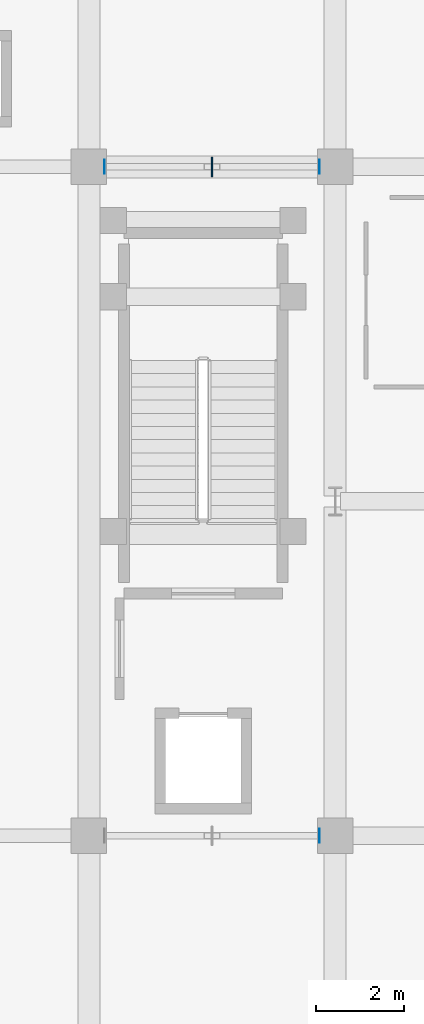
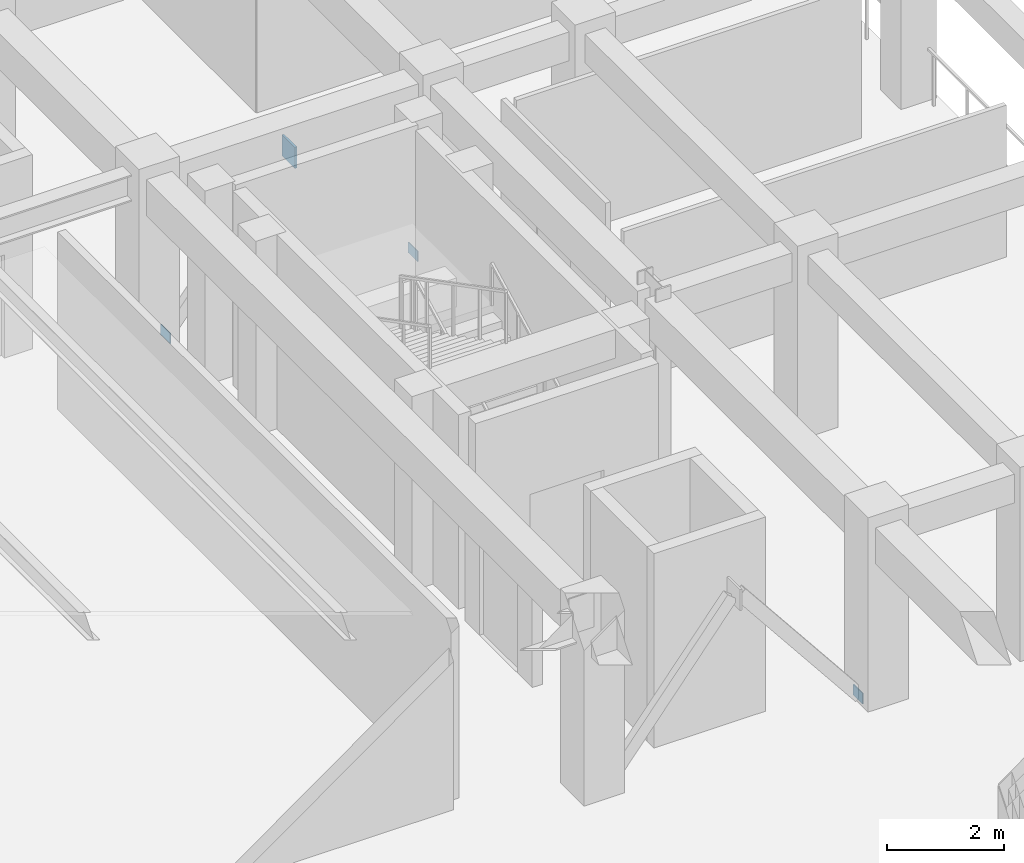
# One storey, part 52 of 83: 4 plates.
"""IFC4 building model written with IfcOpenShell, lengths in metres."""

from ifc_helpers import new_model, si_unit, direction, frame, origin, origin_2d, place, context, subcontext, project, spatial, rectangle, extrude, material, layer, layer_set, type_object, element, save


model = new_model("IFC4")

# Units and contexts
model_context = context("Model", 3, precision=1e-05, world=origin(), true_north=direction((0.0, 1.0)))
body_context = subcontext(model_context, "Body", "Model", "MODEL_VIEW")
ifc_project = project(units=[si_unit("LENGTHUNIT", "METRE"), si_unit("AREAUNIT", "SQUARE_METRE"), si_unit("VOLUMEUNIT", "CUBIC_METRE"), si_unit("PLANEANGLEUNIT", "RADIAN"), si_unit("MASSUNIT", "GRAM", prefix="KILO")], contexts=[model_context])

# Site, building, storey
site_placement = place(None, origin())
site = spatial("IfcSite", under=ifc_project, at=site_placement, CompositionType="ELEMENT")
building_placement = place(site_placement, origin())
building = spatial("IfcBuilding", under=site, at=building_placement, Name="Saryqyr Civic Hall", CompositionType="ELEMENT")
storey_placement = place(building_placement, frame((0.0, 0.0, 9.14990234375)))
storey = spatial("IfcBuildingStorey", under=building, at=storey_placement, Name="L02", CompositionType="ELEMENT", Elevation=9.14990234375)

# Plates
ifc_material = material(Name="Steel S355", Category="steel")
ifc_layer_1 = layer(ifc_material, 0.01611328125, Name="Steel S355")
ifc_layer_set_1 = layer_set([ifc_layer_1], Name="Steel S355")
plate_type_1 = type_object("IfcPlateType", Name="STR-PLT-CAP16", PredefinedType="USERDEFINED", material=ifc_layer_set_1)
for number, where, z_axis, x_axis, name in (
    (1, (69.840087890625, 76.39990234375, 0.01025390625), (0.0, 0.0, 1.0), (1.0, 0.0, 0.0), "Hollow section end cap V1-BRCAP-2B0-L02"),
    (2, (64.9599609375, 91.60009765625, 0.01025390625), (0.0, 0.0, 1.0), (1.0, 0.0, 0.0), "Hollow section end cap V1-BRCAP-4A0-L02"),
    (3, (69.840087890625, 91.60009765625, 0.01025390625), (0.0, 0.0, 1.0), (1.0, 0.0, 0.0), "Hollow section end cap V1-BRCAP-4B0-L02"),
):
    element("IfcPlate", number, at=place(storey_placement, frame(where, z_axis=z_axis, x_axis=x_axis)), inside=storey, type_object=plate_type_1, Name=name, ObjectType="FLANGE_PLATE", PredefinedType="USERDEFINED", context=body_context, shape_type="SweptSolid", body=[
        extrude(rectangle(XDim=0.01611328125, YDim=0.320068359375, at=origin_2d()), origin(), (0.0, 0.0, 1.0), 0.219970703125),
    ])
ifc_layer_2 = layer(ifc_material, 0.0400390625, Name="Steel S355")
ifc_layer_set_2 = layer_set([ifc_layer_2], Name="Steel S355")
plate_type_2 = type_object("IfcPlateType", Name="STR-PLT-GUS40", PredefinedType="USERDEFINED", material=ifc_layer_set_2)
plate_placement = place(storey_placement, frame((67.39990234375, 91.60009765625, 2.85009765625), z_axis=(0.0, 0.0, 1.0), x_axis=(1.0, 0.0, 0.0)))
element("IfcPlate", 4, at=plate_placement, inside=storey, type_object=plate_type_2, Name="Hollow section end cap V1-BRGUS-4-L02", ObjectType="FLANGE_PLATE", PredefinedType="USERDEFINED", context=body_context, shape_type="SweptSolid", body=[
    extrude(rectangle(XDim=0.0400390625, YDim=0.43994140625, at=origin_2d()), origin(), (0.0, 0.0, 1.0), 0.43994140625),
])

save(model, "model.ifc")
